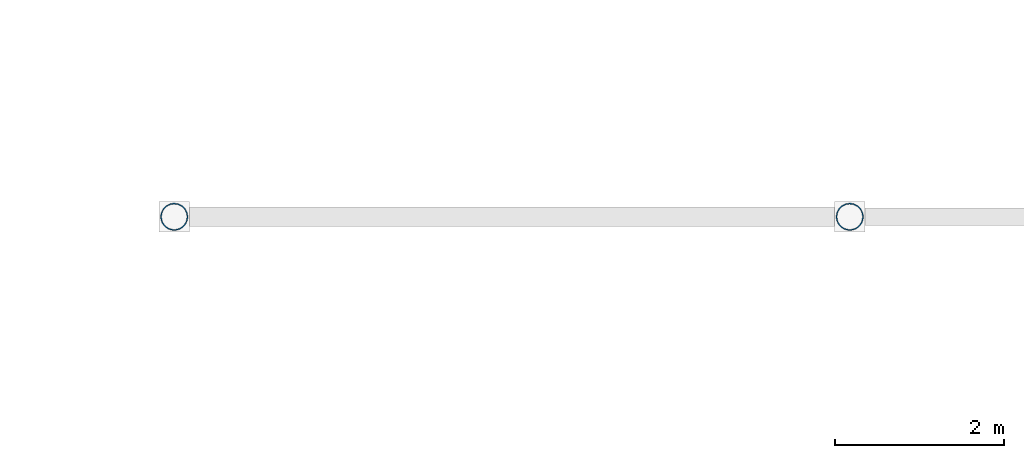
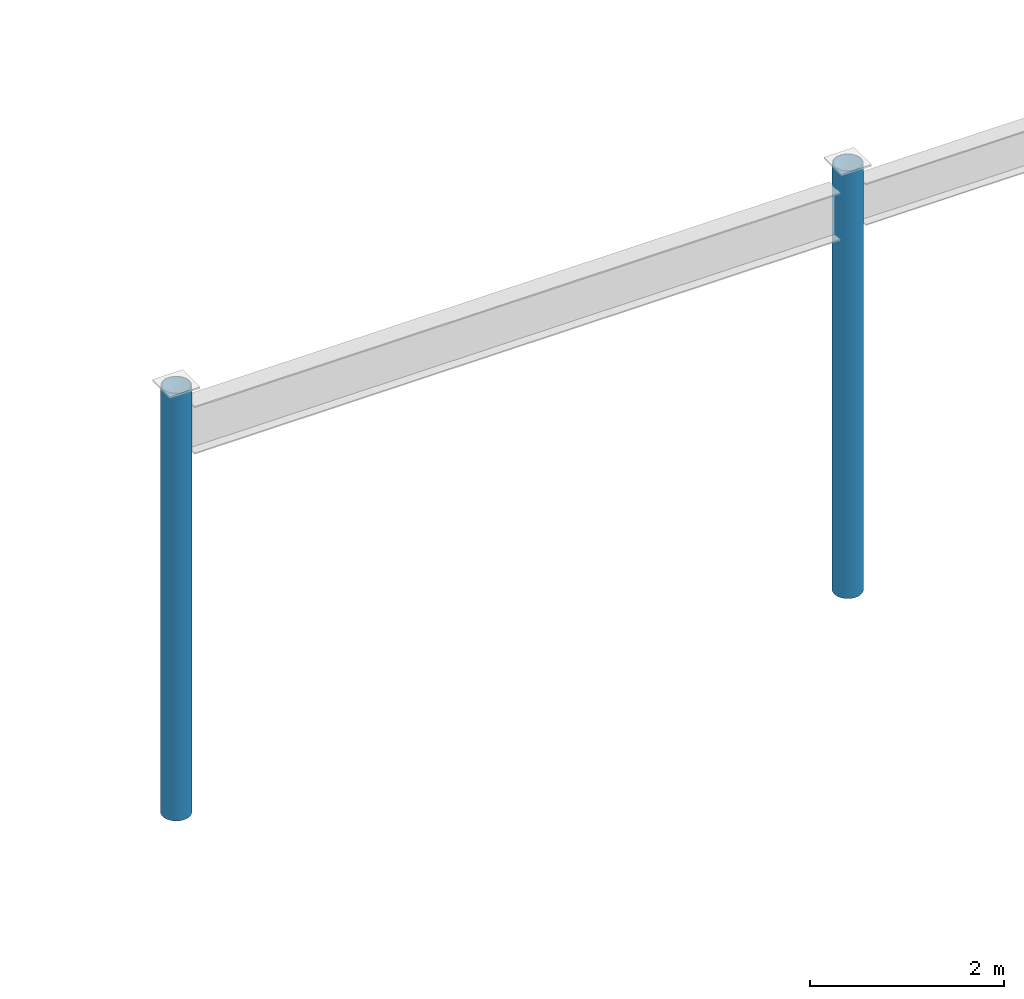
# One storey, part 4 of 93: 2 columns.
"""IFC4 building model written with IfcOpenShell, lengths in metres."""

from ifc_helpers import new_model, si_unit, direction, frame, origin, origin_2d, place, context, subcontext, project, spatial, hollow_circle, extrude, material, material_profile, profile_set, type_object, element, save


model = new_model("IFC4")

# Units and contexts
model_context = context("Model", 3, precision=1e-05, world=origin(), true_north=direction((0.0, 1.0)))
body_context = subcontext(model_context, "Body", "Model", "MODEL_VIEW")
ifc_project = project(units=[si_unit("LENGTHUNIT", "METRE"), si_unit("AREAUNIT", "SQUARE_METRE"), si_unit("VOLUMEUNIT", "CUBIC_METRE"), si_unit("PLANEANGLEUNIT", "RADIAN"), si_unit("MASSUNIT", "GRAM", prefix="KILO")], contexts=[model_context])

# Site, building, storey
site_placement = place(None, origin())
site = spatial("IfcSite", under=ifc_project, at=site_placement, CompositionType="ELEMENT")
building_placement = place(site_placement, origin())
building = spatial("IfcBuilding", under=site, at=building_placement, Name="Cinderbank Siding Concert Hall", CompositionType="ELEMENT")
storey_placement = place(building_placement, origin())
storey = spatial("IfcBuildingStorey", under=building, at=storey_placement, Name="L01", CompositionType="ELEMENT", Elevation=0.0)

# Columns
ifc_material = material(Name="Structural steel hollow section AS/NZS 1163 Grade C350L0 (350 MPa)", Category="steel")
ifc_material_profile = material_profile(ifc_material, hollow_circle(Radius=0.161865234375, WallThickness=0.0126953125, at=origin_2d()), Name="323.9x12.7CHS", Category="LoadBearing")
ifc_profile_set = profile_set([ifc_material_profile], Name="Structural steel hollow section AS/NZS 1163 Grade C350L0 (350 MPa)")
column_type = type_object("IfcColumnType", Name="C-CHS323 323.9x12.7CHS", PredefinedType="COLUMN", material=ifc_profile_set)
for number, where, z_axis, x_axis, name in (
    (1, (62.0, 56.0, 0.0), (0.0, 0.0, 1.0), (1.0, 0.0, 0.0), "L01 Column COL-PAD-04"),
    (2, (70.0, 56.0, 0.0), (0.0, 0.0, 1.0), (1.0, 0.0, 0.0), "L01 Column COL-PAD-05"),
):
    element("IfcColumn", number, at=place(storey_placement, frame(where, z_axis=z_axis, x_axis=x_axis)), inside=storey, type_object=column_type, Name=name, PredefinedType="COLUMN", context=body_context, shape_type="SweptSolid", body=[
        extrude(hollow_circle(Radius=0.161865234375, WallThickness=0.0126953125, at=origin_2d()), origin(), (0.0, 0.0, 1.0), 5.3798828125),
    ])

save(model, "model.ifc")
